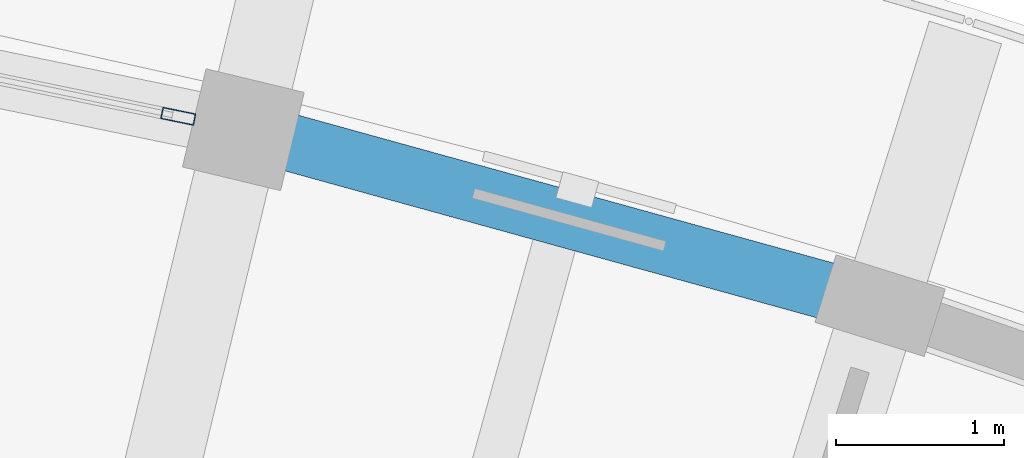
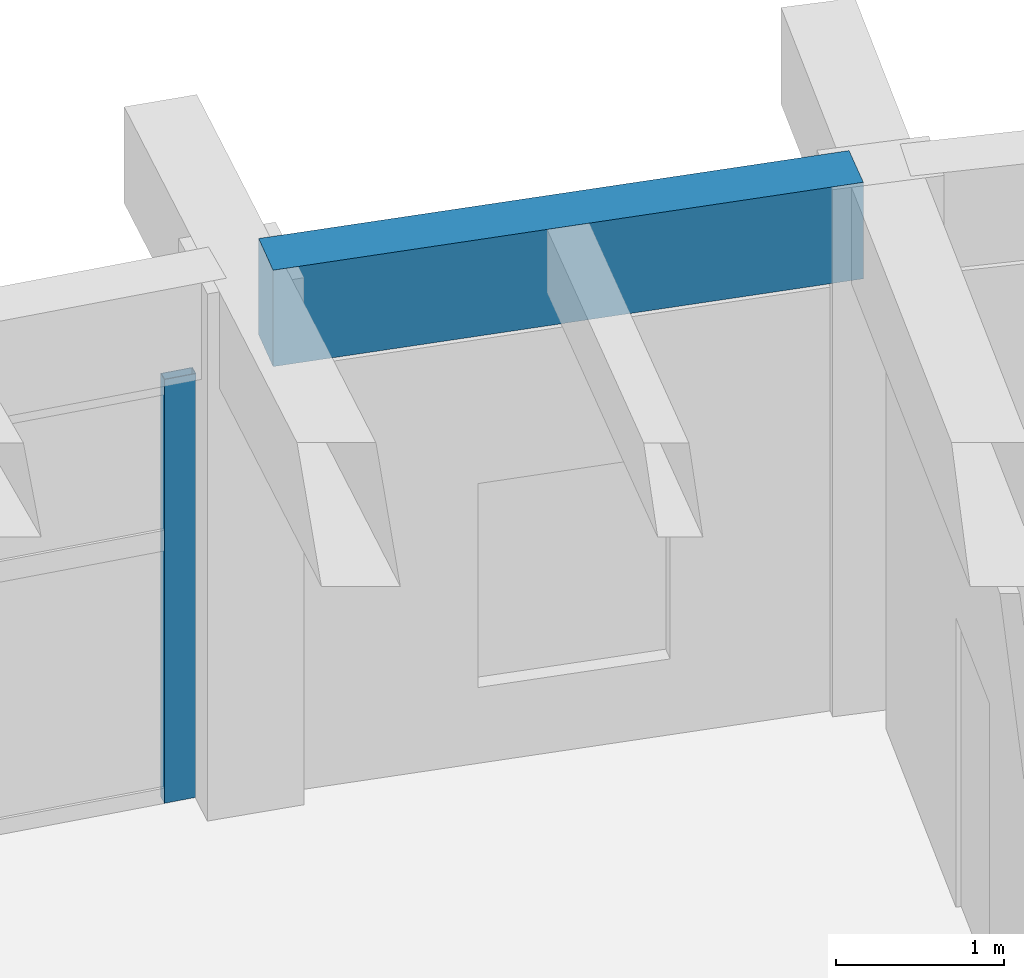
# One storey, part 65 of 128: 1 beam, 1 member, 1 element without a shape of its own.
"""IFC4 building model written with IfcOpenShell, lengths in metres."""

from ifc_helpers import new_model, si_unit, direction, frame, origin, origin_2d, place, context, subcontext, project, spatial, rectangle, hollow_rectangle, extrude, material, material_profile, profile_set, type_object, element, aggregate, save


model = new_model("IFC4")

# Units and contexts
model_context = context("Model", 3, precision=1e-05, world=origin(), true_north=direction((0.0, 1.0)))
body_context = subcontext(model_context, "Body", "Model", "MODEL_VIEW")
ifc_project = project(units=[si_unit("LENGTHUNIT", "METRE"), si_unit("AREAUNIT", "SQUARE_METRE"), si_unit("VOLUMEUNIT", "CUBIC_METRE"), si_unit("PLANEANGLEUNIT", "RADIAN"), si_unit("MASSUNIT", "GRAM", prefix="KILO")], contexts=[model_context])

# Site, building, storey
site_placement = place(None, origin())
site = spatial("IfcSite", under=ifc_project, at=site_placement, CompositionType="ELEMENT")
building_placement = place(site_placement, origin())
building = spatial("IfcBuilding", under=site, at=building_placement, Name="Tanwirah Colonnade Gardens", CompositionType="ELEMENT")
storey_placement = place(building_placement, frame((0.0, 0.0, 4.760009765625)))
storey = spatial("IfcBuildingStorey", under=building, at=storey_placement, Name="L01", CompositionType="ELEMENT", Elevation=4.760009765625)

# Curtain wall, member
ifc_material_1 = material(Name="Bronze-anodised aluminium and solar-control low-E glass", Category="aluminium")
curtain_wall_type = type_object("IfcCurtainWallType", Name="CW-LOB", PredefinedType="NOTDEFINED", material=ifc_material_1)
curtain_wall_placement = place(storey_placement, origin())
curtain_wall = element("IfcCurtainWall", 1, at=curtain_wall_placement, inside=storey, type_object=curtain_wall_type, Name="Curtain Wall CW-B-L01-OUT-16", PredefinedType="NOTDEFINED")
ifc_material_2 = material(Name="Bronze-anodised aluminium", Category="aluminium")
ifc_material_profile_1 = material_profile(ifc_material_2, hollow_rectangle(XDim=0.070068359375, YDim=0.199951171875, WallThickness=0.00390625, at=origin_2d()), Name="CW-MUL 70x200x4")
ifc_profile_set_1 = profile_set([ifc_material_profile_1], Name="Bronze-anodised aluminium")
member_type = type_object("IfcMemberType", Name="CWM-70x200", PredefinedType="MULLION", material=ifc_profile_set_1)
member_placement = place(storey_placement, frame((134.571044921875, 118.1708984375, 0.0), z_axis=(0.0, 0.0, 1.0), x_axis=(-0.202218047772, -0.979340523595, 0.0)))
member = element("IfcMember", 2, at=member_placement, type_object=member_type, Name="CW-LOB mullion 1", PredefinedType="MULLION", context=body_context, shape_type="SweptSolid", body=[
    extrude(hollow_rectangle(XDim=0.070068359375, YDim=0.199951171875, WallThickness=0.00390625, at=origin_2d()), origin(), (0.0, 0.0, 1.0), 3.074951171875),
])
aggregate(curtain_wall, [member])

# Beam
ifc_material_3 = material(Name="Precast concrete C45/55", Category="concrete")
ifc_material_profile_2 = material_profile(ifc_material_3, rectangle(XDim=0.340087890625, YDim=0.699951171875, at=origin_2d()), Name="PC-SP 340x700")
ifc_profile_set_2 = profile_set([ifc_material_profile_2], Name="Precast concrete C45/55")
beam_type = type_object("IfcBeamType", Name="SP-PC340", PredefinedType="SPANDREL", material=ifc_profile_set_2)
beam_placement = place(storey_placement, frame((138.59716796875, 117.085693359375, 3.47509765625), z_axis=(-0.963888380927, 0.266306569792, 0.0), x_axis=(-0.266306569792, -0.963888380927, 0.0)))
element("IfcBeam", 3, at=beam_placement, inside=storey, type_object=beam_type, Name="Block B L01 Circumferential Beam 15-R3", PredefinedType="SPANDREL", context=body_context, shape_type="SweptSolid", body=[
    extrude(rectangle(XDim=0.340087890625, YDim=0.699951171875, at=origin_2d()), origin(), (0.0, 0.0, 1.0), 3.625732421875),
])

save(model, "model.ifc")
